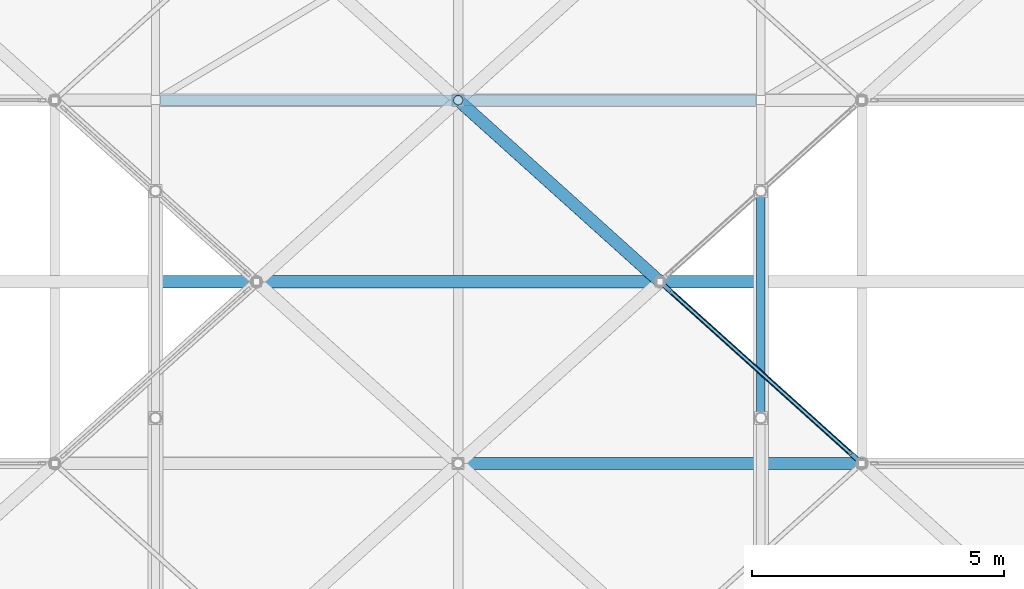
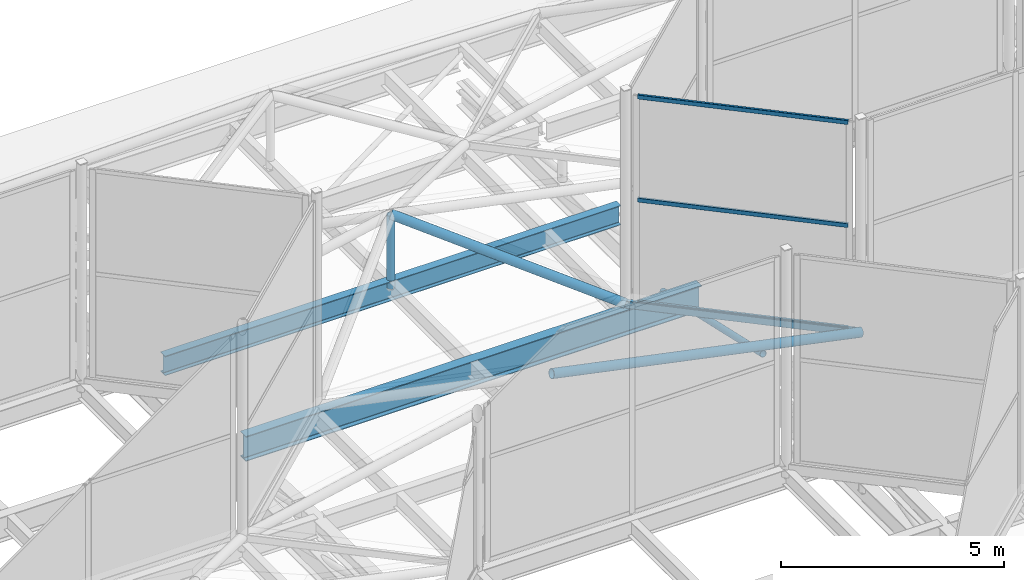
# One storey, part 105 of 239: 7 members, 3 beams, 1 element without a shape of its own.
"""IFC4 building model written with IfcOpenShell, lengths in metres."""

from ifc_helpers import new_model, si_unit, direction, frame, origin, origin_2d, place, context, subcontext, project, spatial, hollow_rectangle, hollow_circle, i_section, extrude, material, layer, layer_set, material_profile, profile_set, type_object, element, aggregate, save


model = new_model("IFC4")

# Units and contexts
model_context = context("Model", 3, precision=1e-05, world=origin(), true_north=direction((0.0, 1.0)))
body_context = subcontext(model_context, "Body", "Model", "MODEL_VIEW")
ifc_project = project(units=[si_unit("LENGTHUNIT", "METRE"), si_unit("AREAUNIT", "SQUARE_METRE"), si_unit("VOLUMEUNIT", "CUBIC_METRE"), si_unit("PLANEANGLEUNIT", "RADIAN"), si_unit("MASSUNIT", "GRAM", prefix="KILO")], contexts=[model_context])

# Site, building, storey
site_placement = place(None, origin())
site = spatial("IfcSite", under=ifc_project, at=site_placement, CompositionType="ELEMENT")
building_placement = place(site_placement, origin())
building = spatial("IfcBuilding", under=site, at=building_placement, Name="Dunvalen Ferry Terminal", CompositionType="ELEMENT")
storey_placement = place(building_placement, frame((0.0, 0.0, 9.840087890625)))
storey = spatial("IfcBuildingStorey", under=building, at=storey_placement, Name="L02", CompositionType="ELEMENT", Elevation=9.840087890625)

# Curtain wall, members
ifc_material_1 = material(Name="Anodised marine aluminium and solar-control glazing", Category="aluminium")
ifc_layer = layer(ifc_material_1, 0.179931640625, Name="Anodised marine aluminium and solar-control glazing")
ifc_layer_set = layer_set([ifc_layer], Name="Anodised marine aluminium and solar-control glazing")
curtain_wall_type = type_object("IfcCurtainWallType", Name="ENV-CW-SYS-05", PredefinedType="NOTDEFINED", material=ifc_layer_set)
curtain_wall_placement = place(storey_placement, origin())
curtain_wall = element("IfcCurtainWall", 1, at=curtain_wall_placement, inside=storey, type_object=curtain_wall_type, Name="L02 Curtain Wall CW-HEX-32-SK-1", PredefinedType="NOTDEFINED")
ifc_material_2 = material(Name="Anodised marine aluminium EN AW-6063 T6", Category="aluminium")
ifc_material_profile_1 = material_profile(ifc_material_2, hollow_rectangle(XDim=0.06005859375, YDim=0.114990234375, WallThickness=0.0029296875, InnerFilletRadius=0.0029296875, OuterFilletRadius=0.006103515625, at=origin_2d()), Name="Anodised marine aluminium EN AW-6063 T6")
ifc_profile_set_1 = profile_set([ifc_material_profile_1], Name="Anodised marine aluminium EN AW-6063 T6")
member_type_1 = type_object("IfcMemberType", Name="ENV-CW-TRN-3", PredefinedType="USERDEFINED", material=ifc_profile_set_1)
member_1_placement = place(storey_placement, frame((58.2080078125, 75.41259765625, 1.169921875), z_axis=(0.743319323261, -0.668936756104, 0.0), x_axis=(0.668936756104, 0.743319323261, 0.0)))
member_1 = element("IfcMember", 2, at=member_1_placement, type_object=member_type_1, Name="CW-05 transom 1.1", ObjectType="TRANSOM", PredefinedType="USERDEFINED", context=body_context, shape_type="SweptSolid", body=[
    extrude(hollow_rectangle(XDim=0.06005859375, YDim=0.114990234375, WallThickness=0.0029296875, InnerFilletRadius=0.0029296875, OuterFilletRadius=0.006103515625, at=origin_2d()), origin(), (0.0, 0.0, 1.0), 4.821533203125),
])
member_2_placement = place(storey_placement, frame((58.2080078125, 75.41259765625, 3.989990234375), z_axis=(0.743319323261, -0.668936756104, 0.0), x_axis=(0.668936756104, 0.743319323261, 0.0)))
member_2 = element("IfcMember", 3, at=member_2_placement, type_object=member_type_1, Name="CW-05 transom 1.2", ObjectType="TRANSOM", PredefinedType="USERDEFINED", context=body_context, shape_type="SweptSolid", body=[
    extrude(hollow_rectangle(XDim=0.06005859375, YDim=0.114990234375, WallThickness=0.0029296875, InnerFilletRadius=0.0029296875, OuterFilletRadius=0.006103515625, at=origin_2d()), origin(), (0.0, 0.0, 1.0), 4.821533203125),
])
member_3_placement = place(storey_placement, frame((58.2080078125, 75.41259765625, 6.809814453125), z_axis=(0.743319323261, -0.668936756104, 0.0), x_axis=(0.668936756104, 0.743319323261, 0.0)))
member_3 = element("IfcMember", 4, at=member_3_placement, type_object=member_type_1, Name="CW-05 transom 1.3", ObjectType="TRANSOM", PredefinedType="USERDEFINED", context=body_context, shape_type="SweptSolid", body=[
    extrude(hollow_rectangle(XDim=0.06005859375, YDim=0.114990234375, WallThickness=0.0029296875, InnerFilletRadius=0.0029296875, OuterFilletRadius=0.006103515625, at=origin_2d()), origin(), (0.0, 0.0, 1.0), 4.821533203125),
])
aggregate(curtain_wall, [member_1, member_2, member_3])

# Beams
ifc_material_3 = material(Name="Steel S355", Category="steel")
ifc_material_profile_2 = material_profile(ifc_material_3, hollow_rectangle(XDim=0.10009765625, YDim=0.199951171875, WallThickness=0.008056640625, InnerFilletRadius=0.008056640625, OuterFilletRadius=0.01611328125, at=origin_2d()), Name="Steel S355")
ifc_profile_set_2 = profile_set([ifc_material_profile_2], Name="Steel S355")
beam_type_1 = type_object("IfcBeamType", Name="STR-BM-RHS200", PredefinedType="BEAM", material=ifc_profile_set_2)
beam_1_placement = place(storey_placement, frame((62.0, 72.0, 1.099853515625), z_axis=(-0.743285123004, 0.668974757313, 0.0), x_axis=(-0.668974757313, -0.743285123004, 0.0)))
element("IfcBeam", 5, at=beam_1_placement, inside=storey, type_object=beam_type_1, Name="HEX-26 Hexagonal Rim Beam 4", PredefinedType="BEAM", context=body_context, shape_type="SweptSolid", body=[
    extrude(hollow_rectangle(XDim=0.10009765625, YDim=0.199951171875, WallThickness=0.008056640625, InnerFilletRadius=0.008056640625, OuterFilletRadius=0.01611328125, at=origin_2d()), origin(), (0.0, 0.0, 1.0), 5.381591796875),
])
ifc_material_profile_3 = material_profile(ifc_material_3, i_section(OverallWidth=0.209228515625, OverallDepth=0.533203125, WebThickness=0.010009765625, FlangeThickness=0.015625, FilletRadius=0.0126953125, at=origin_2d()), Name="Steel S355")
ifc_profile_set_3 = profile_set([ifc_material_profile_3], Name="Steel S355")
beam_type_2 = type_object("IfcBeamType", Name="STR-BM-UKB533", PredefinedType="BEAM", material=ifc_profile_set_3)
beam_2_placement = place(storey_placement, frame((48.10009765625, 79.199951171875, 0.7333984375), z_axis=(1.0, 0.0, 0.0), x_axis=(0.0, 1.0, 0.0)))
element("IfcBeam", 6, at=beam_2_placement, inside=storey, type_object=beam_type_2, Name="Departure Hall Spine Girder B4.09", PredefinedType="BEAM", context=body_context, shape_type="SweptSolid", body=[
    extrude(i_section(OverallWidth=0.209228515625, OverallDepth=0.533203125, WebThickness=0.010009765625, FlangeThickness=0.015625, FilletRadius=0.0126953125, at=origin_2d()), origin(), (0.0, 0.0, 1.0), 11.7998046875),
])
ifc_material_profile_4 = material_profile(ifc_material_3, i_section(OverallWidth=0.253662109375, OverallDepth=0.68359375, WebThickness=0.012451171875, FlangeThickness=0.01904296875, FilletRadius=0.01513671875, at=origin_2d()), Name="Steel S355")
ifc_profile_set_4 = profile_set([ifc_material_profile_4], Name="Steel S355")
beam_type_3 = type_object("IfcBeamType", Name="STR-BM-UKB686", PredefinedType="BEAM", material=ifc_profile_set_4)
beam_3_placement = place(storey_placement, frame((48.10009765625, 75.60009765625, 0.658203125), z_axis=(1.0, 0.0, 0.0), x_axis=(0.0, 1.0, 0.0)))
element("IfcBeam", 7, at=beam_3_placement, inside=storey, type_object=beam_type_3, Name="Departure Hall Spine Girder B4.08", PredefinedType="BEAM", context=body_context, shape_type="SweptSolid", body=[
    extrude(i_section(OverallWidth=0.253662109375, OverallDepth=0.68359375, WebThickness=0.012451171875, FlangeThickness=0.01904296875, FilletRadius=0.01513671875, at=origin_2d()), origin(), (0.0, 0.0, 1.0), 11.7998046875),
])

# Members
ifc_material_profile_5 = material_profile(ifc_material_3, hollow_circle(Radius=0.084228515625, WallThickness=0.008056640625, at=origin_2d()), Name="Steel S355")
ifc_profile_set_5 = profile_set([ifc_material_profile_5], Name="Steel S355")
member_type_2 = type_object("IfcMemberType", Name="STR-MB-CHS168", PredefinedType="BRACE", material=ifc_profile_set_5)
member_4_placement = place(storey_placement, frame((60.0, 72.89990234375, 0.65869140625), z_axis=(0.0, 0.975316524259, -0.220811407104), x_axis=(-1.0, 0.0, 0.0)))
element("IfcMember", 8, at=member_4_placement, inside=storey, type_object=member_type_2, Name="Departure Hall Arch Web Diagonal 05.6", PredefinedType="BRACE", context=body_context, shape_type="SweptSolid", body=[
    extrude(hollow_circle(Radius=0.084228515625, WallThickness=0.008056640625, at=origin_2d()), origin(), (0.0, 0.0, 1.0), 4.61376953125),
])
ifc_material_profile_6 = material_profile(ifc_material_3, hollow_circle(Radius=0.096923828125, WallThickness=0.008056640625, at=origin_2d()), Name="Steel S355")
ifc_profile_set_6 = profile_set([ifc_material_profile_6], Name="Steel S355")
member_type_3 = type_object("IfcMemberType", Name="STR-MB-CHS193", PredefinedType="STRUT", material=ifc_profile_set_6)
member_5_placement = place(storey_placement, frame((54.0, 79.199951171875, 0.77001953125), z_axis=(0.0, 0.0, 1.0), x_axis=(1.0, 0.0, 0.0)))
element("IfcMember", 9, at=member_5_placement, inside=storey, type_object=member_type_3, Name="HEX-27 Pyramid Apex Strut", PredefinedType="STRUT", context=body_context, shape_type="SweptSolid", body=[
    extrude(hollow_circle(Radius=0.096923828125, WallThickness=0.008056640625, at=origin_2d()), origin(), (0.0, 0.0, 1.0), 1.994873046875),
])
ifc_material_profile_7 = material_profile(ifc_material_3, hollow_circle(Radius=0.122314453125, WallThickness=0.010009765625, at=origin_2d()), Name="Steel S355")
ifc_profile_set_7 = profile_set([ifc_material_profile_7], Name="Steel S355")
member_type_4 = type_object("IfcMemberType", Name="STR-MB-CHS244", PredefinedType="STRUT", material=ifc_profile_set_7)
member_6_placement = place(storey_placement, frame((62.0, 72.0, 1.099853515625), z_axis=(-0.979020171275, 0.0, 0.203763353518), x_axis=(0.0, -1.0, 0.0)))
element("IfcMember", 10, at=member_6_placement, inside=storey, type_object=member_type_4, Name="HEX-26 Pyramid Hip Rafter 4", PredefinedType="STRUT", context=body_context, shape_type="SweptSolid", body=[
    extrude(hollow_circle(Radius=0.122314453125, WallThickness=0.010009765625, at=origin_2d()), origin(), (0.0, 0.0, 1.0), 8.17138671875),
])
member_7_placement = place(storey_placement, frame((58.0, 75.60009765625, 1.099853515625), z_axis=(-0.710094348105, 0.639058908863, 0.295583706914), x_axis=(-0.668949692402, -0.74330768127, 0.0)))
element("IfcMember", 11, at=member_7_placement, inside=storey, type_object=member_type_4, Name="HEX-27 Pyramid Hip Rafter 3", PredefinedType="STRUT", context=body_context, shape_type="SweptSolid", body=[
    extrude(hollow_circle(Radius=0.122314453125, WallThickness=0.010009765625, at=origin_2d()), origin(), (0.0, 0.0, 1.0), 5.633056640625),
])

save(model, "model.ifc")
